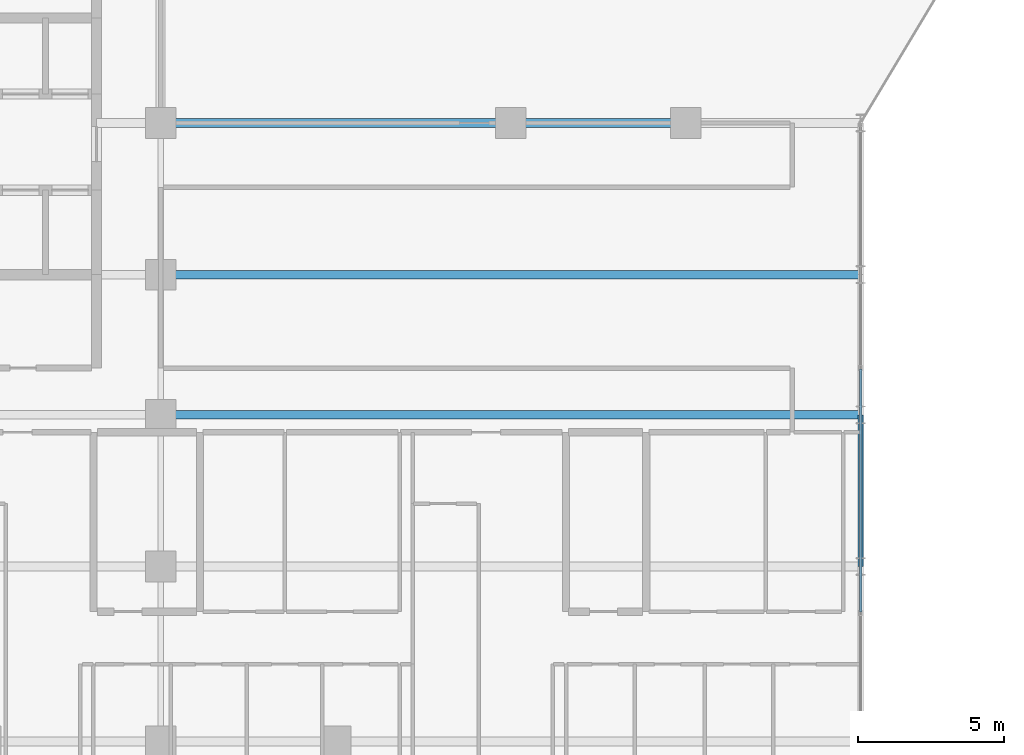
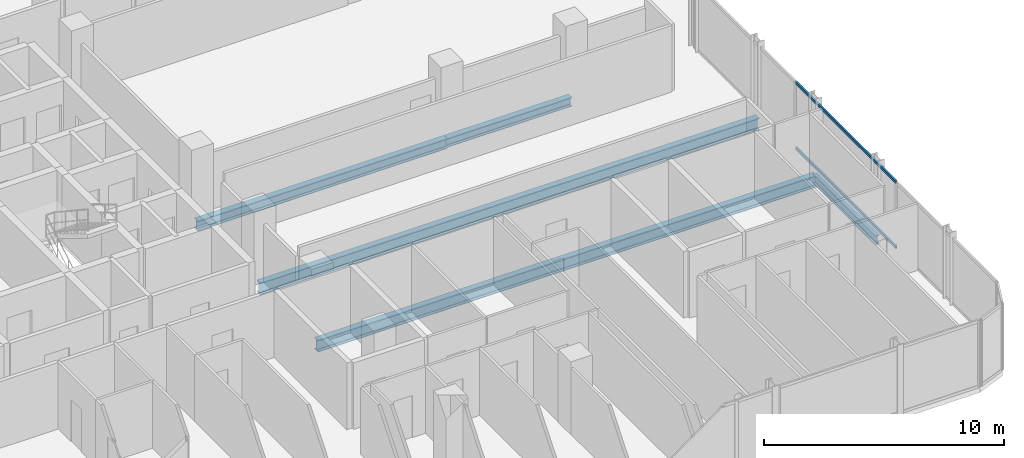
# One storey, part 11 of 30: 5 beams, 2 members, 1 element without a shape of its own.
"""IFC4 building model written with IfcOpenShell, lengths in metres."""

from ifc_helpers import new_model, si_unit, direction, frame, origin, origin_2d, place, context, subcontext, project, spatial, hollow_rectangle, i_section, extrude, material, layer, layer_set, material_profile, profile_set, type_object, element, aggregate, save


model = new_model("IFC4")

# Units and contexts
model_context = context("Model", 3, precision=1e-05, world=origin(), true_north=direction((0.0, 1.0)))
body_context = subcontext(model_context, "Body", "Model", "MODEL_VIEW")
ifc_project = project(units=[si_unit("LENGTHUNIT", "METRE"), si_unit("AREAUNIT", "SQUARE_METRE"), si_unit("VOLUMEUNIT", "CUBIC_METRE"), si_unit("PLANEANGLEUNIT", "RADIAN"), si_unit("MASSUNIT", "GRAM", prefix="KILO")], contexts=[model_context])

# Site, building, storey
site_placement = place(None, origin())
site = spatial("IfcSite", under=ifc_project, at=site_placement, CompositionType="ELEMENT")
building_placement = place(site_placement, origin())
building = spatial("IfcBuilding", under=site, at=building_placement, Name="Keshet Zoharim Tower", CompositionType="ELEMENT")
storey_placement = place(building_placement, frame((0.0, 0.0, 90.89990234375)))
storey = spatial("IfcBuildingStorey", under=building, at=storey_placement, Name="L21", CompositionType="ELEMENT", Elevation=90.89990234375)

# Beams
ifc_material_1 = material(Name="Steel S355", Category="steel")
ifc_material_profile_1 = material_profile(ifc_material_1, i_section(OverallWidth=0.300048828125, OverallDepth=0.60009765625, WebThickness=0.015380859375, FlangeThickness=0.030029296875, FilletRadius=0.027099609375, at=origin_2d()), Name="HEB600")
ifc_profile_set_1 = profile_set([ifc_material_profile_1], Name="Steel S355")
beam_type_1 = type_object("IfcBeamType", Name="BM-LNG-HB600", PredefinedType="BEAM", material=ifc_profile_set_1)
for number, where, z_axis, x_axis, name in (
    (1, (33.0, 17.89990234375, -0.614990234375), (1.0, 0.0, 0.0), (0.0, 1.0, 0.0), "L21 Primary Girder X-013"),
    (2, (33.0, 22.699951171875, -0.614990234375), (1.0, 0.0, 0.0), (0.0, 1.0, 0.0), "L21 Primary Girder X-014"),
):
    element("IfcBeam", number, at=place(storey_placement, frame(where, z_axis=z_axis, x_axis=x_axis)), inside=storey, type_object=beam_type_1, Name=name, PredefinedType="BEAM", context=body_context, shape_type="SweptSolid", body=[
        extrude(i_section(OverallWidth=0.300048828125, OverallDepth=0.60009765625, WebThickness=0.015380859375, FlangeThickness=0.030029296875, FilletRadius=0.027099609375, at=origin_2d()), origin(), (0.0, 0.0, 1.0), 24.0),
    ])
ifc_material_profile_2 = material_profile(ifc_material_1, i_section(OverallWidth=0.300048828125, OverallDepth=0.5, WebThickness=0.014404296875, FlangeThickness=0.028076171875, FilletRadius=0.027099609375, at=origin_2d()), Name="HEB500")
ifc_profile_set_2 = profile_set([ifc_material_profile_2], Name="Steel S355")
beam_type_2 = type_object("IfcBeamType", Name="BM-MED-HB500", PredefinedType="BEAM", material=ifc_profile_set_2)
beam_1_placement = place(storey_placement, frame((33.0, 27.89990234375, -0.56494140625), z_axis=(1.0, 0.0, 0.0), x_axis=(0.0, 1.0, 0.0)))
element("IfcBeam", 3, at=beam_1_placement, inside=storey, type_object=beam_type_2, Name="L21 Primary Girder X-015", PredefinedType="BEAM", context=body_context, shape_type="SweptSolid", body=[
    extrude(i_section(OverallWidth=0.300048828125, OverallDepth=0.5, WebThickness=0.014404296875, FlangeThickness=0.028076171875, FilletRadius=0.027099609375, at=origin_2d()), origin(), (0.0, 0.0, 1.0), 12.0),
])
ifc_material_profile_3 = material_profile(ifc_material_1, i_section(OverallWidth=0.18994140625, OverallDepth=0.449951171875, WebThickness=0.009521484375, FlangeThickness=0.0146484375, FilletRadius=0.02099609375, at=origin_2d()), Name="IPE450")
ifc_profile_set_3 = profile_set([ifc_material_profile_3], Name="Steel S355")
beam_type_3 = type_object("IfcBeamType", Name="BM-PRI-IP450", PredefinedType="BEAM", material=ifc_profile_set_3)
beam_2_placement = place(storey_placement, frame((57.0, 12.699951171875, -0.539794921875), z_axis=(0.0, 1.0, 0.0), x_axis=(-1.0, 0.0, 0.0)))
element("IfcBeam", 4, at=beam_2_placement, inside=storey, type_object=beam_type_3, Name="L21 Primary Girder Y-014", PredefinedType="BEAM", context=body_context, shape_type="SweptSolid", body=[
    extrude(i_section(OverallWidth=0.18994140625, OverallDepth=0.449951171875, WebThickness=0.009521484375, FlangeThickness=0.0146484375, FilletRadius=0.02099609375, at=origin_2d()), origin(), (0.0, 0.0, 1.0), 5.199951171875),
])
ifc_material_profile_4 = material_profile(ifc_material_1, i_section(OverallWidth=0.300048828125, OverallDepth=0.449951171875, WebThickness=0.013916015625, FlangeThickness=0.02587890625, FilletRadius=0.027099609375, at=origin_2d()), Name="HEB450")
ifc_profile_set_4 = profile_set([ifc_material_profile_4], Name="Steel S355")
beam_type_4 = type_object("IfcBeamType", Name="BM-WEB-HB450", PredefinedType="BEAM", material=ifc_profile_set_4)
beam_3_placement = place(storey_placement, frame((45.0, 27.89990234375, -0.539794921875), z_axis=(1.0, 0.0, 0.0), x_axis=(0.0, 1.0, 0.0)))
element("IfcBeam", 5, at=beam_3_placement, inside=storey, type_object=beam_type_4, Name="L21 Primary Girder X-016", PredefinedType="BEAM", context=body_context, shape_type="SweptSolid", body=[
    extrude(i_section(OverallWidth=0.300048828125, OverallDepth=0.449951171875, WebThickness=0.013916015625, FlangeThickness=0.02587890625, FilletRadius=0.027099609375, at=origin_2d()), origin(), (0.0, 0.0, 1.0), 6.0),
])

# Curtain wall, members
ifc_material_2 = material(Name="Aluminium 6063-T6", Category="aluminium")
ifc_layer = layer(ifc_material_2, 0.159912109375)
ifc_layer_set = layer_set([ifc_layer], Name="Aluminium 6063-T6")
curtain_wall_type = type_object("IfcCurtainWallType", Name="CW-SYS-03", PredefinedType="NOTDEFINED", material=ifc_layer_set)
curtain_wall_placement = place(storey_placement, origin())
curtain_wall = element("IfcCurtainWall", 6, at=curtain_wall_placement, inside=storey, type_object=curtain_wall_type, Name="L21 Unitised Curtain Wall 19", PredefinedType="NOTDEFINED")
ifc_material_profile_5 = material_profile(ifc_material_2, hollow_rectangle(XDim=0.080078125, YDim=0.139892578125, WallThickness=0.00390625, at=origin_2d()), Name="TRN-80x140")
ifc_profile_set_5 = profile_set([ifc_material_profile_5], Name="Aluminium 6063-T6")
member_type = type_object("IfcMemberType", Name="CWT-T14", PredefinedType="USERDEFINED", material=ifc_profile_set_5)
member_1_placement = place(storey_placement, frame((57.0, 19.465087890625, 0.03515625), z_axis=(0.0, -1.0, 0.0), x_axis=(1.0, 0.0, 0.0)))
member_1 = element("IfcMember", 7, at=member_1_placement, type_object=member_type, Name="CW-03 transom 2.1", ObjectType="TRANSOM", PredefinedType="USERDEFINED", context=body_context, shape_type="SweptSolid", body=[
    extrude(hollow_rectangle(XDim=0.080078125, YDim=0.139892578125, WallThickness=0.00390625, at=origin_2d()), origin(), (0.0, 0.0, 1.0), 8.330078125),
])
member_2_placement = place(storey_placement, frame((57.0, 19.465087890625, 3.35009765625), z_axis=(0.0, -1.0, 0.0), x_axis=(1.0, 0.0, 0.0)))
member_2 = element("IfcMember", 8, at=member_2_placement, type_object=member_type, Name="CW-03 transom 2.2", ObjectType="TRANSOM", PredefinedType="USERDEFINED", context=body_context, shape_type="SweptSolid", body=[
    extrude(hollow_rectangle(XDim=0.080078125, YDim=0.139892578125, WallThickness=0.00390625, at=origin_2d()), origin(), (0.0, 0.0, 1.0), 8.330078125),
])
aggregate(curtain_wall, [member_1, member_2])

save(model, "model.ifc")
